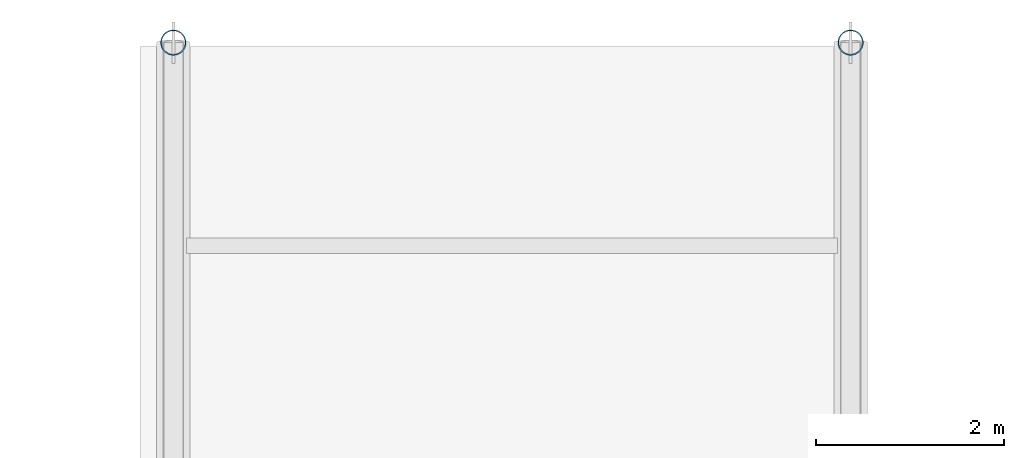
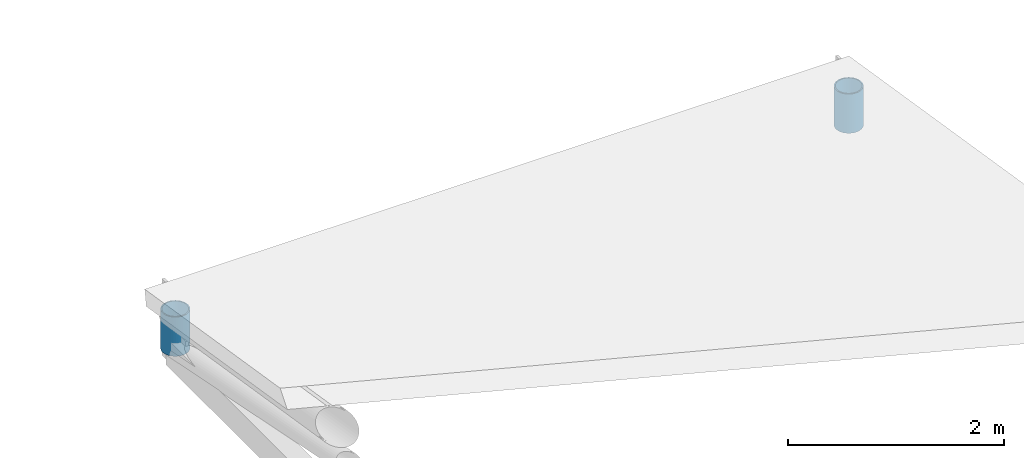
# One storey, part 55 of 72: 2 members.
"""IFC4 building model written with IfcOpenShell, lengths in metres."""

from ifc_helpers import new_model, si_unit, direction, frame, origin, origin_2d, place, context, subcontext, project, spatial, hollow_circle, extrude, material, material_profile, profile_set, type_object, element, save


model = new_model("IFC4")

# Units and contexts
model_context = context("Model", 3, precision=1e-05, world=origin(), true_north=direction((0.0, 1.0)))
body_context = subcontext(model_context, "Body", "Model", "MODEL_VIEW")
ifc_project = project(units=[si_unit("LENGTHUNIT", "METRE"), si_unit("AREAUNIT", "SQUARE_METRE"), si_unit("VOLUMEUNIT", "CUBIC_METRE"), si_unit("PLANEANGLEUNIT", "RADIAN"), si_unit("MASSUNIT", "GRAM", prefix="KILO")], contexts=[model_context])

# Site, building, storey
site_placement = place(None, origin())
site = spatial("IfcSite", under=ifc_project, at=site_placement, CompositionType="ELEMENT")
building_placement = place(site_placement, origin())
building = spatial("IfcBuilding", under=site, at=building_placement, Name="Vaelcorin Mobility Hub", CompositionType="ELEMENT")
storey_placement = place(building_placement, frame((0.0, 0.0, 25.800048828125)))
storey = spatial("IfcBuildingStorey", under=building, at=storey_placement, Name="RF", CompositionType="ELEMENT", Elevation=25.800048828125)

# Members
ifc_material = material(Name="Steel ASTM A500 Grade C", Category="steel")
ifc_material_profile = material_profile(ifc_material, hollow_circle(Radius=0.136474609375, WallThickness=0.0126953125, at=origin_2d()), Name="HSS10.750X0.500")
ifc_profile_set = profile_set([ifc_material_profile], Name="Steel ASTM A500 Grade C")
member_type = type_object("IfcMemberType", Name="SF-POST-10", PredefinedType="POST", material=ifc_profile_set)
for number, where, z_axis, x_axis, name in (
    (1, (123.60009765625, 120.0, -4.199951171875), (0.0, 0.0, 1.0), (1.0, 0.0, 0.0), "V2E Drum Roof Truss Post 1-4"),
    (2, (130.800048828125, 120.0, -4.199951171875), (0.0, 0.0, 1.0), (1.0, 0.0, 0.0), "V2E Drum Roof Truss Post 2-4"),
):
    element("IfcMember", number, at=place(storey_placement, frame(where, z_axis=z_axis, x_axis=x_axis)), inside=storey, type_object=member_type, Name=name, PredefinedType="POST", context=body_context, shape_type="SweptSolid", body=[
        extrude(hollow_circle(Radius=0.136474609375, WallThickness=0.0126953125, at=origin_2d()), origin(), (0.0, 0.0, 1.0), 0.44384765625),
    ])

save(model, "model.ifc")
